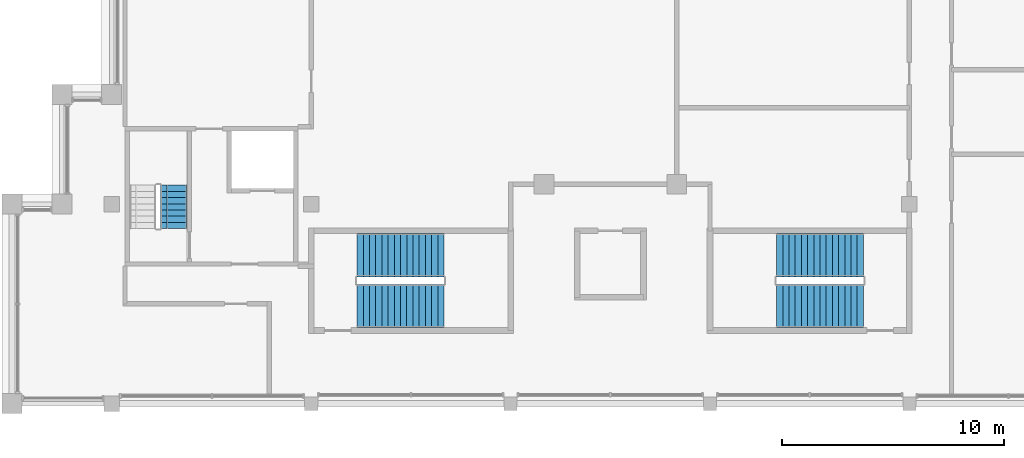
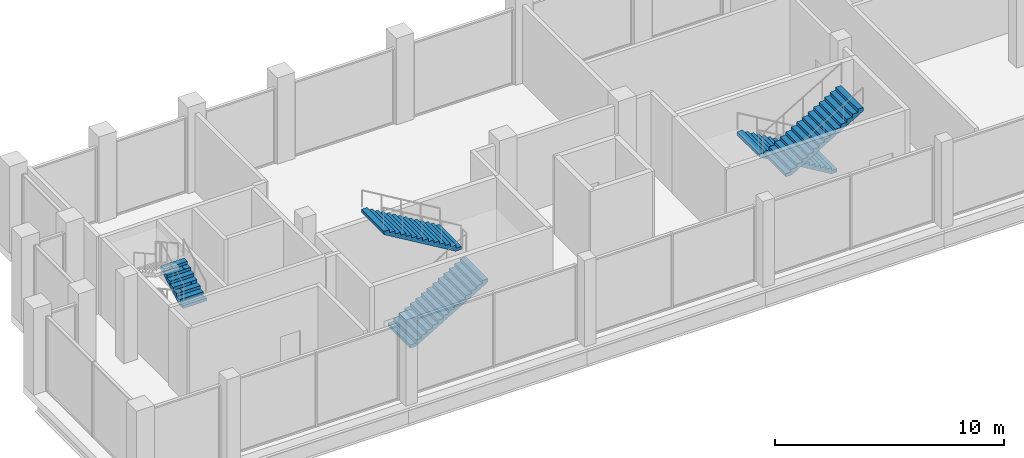
# One storey, part 7 of 8: 5 stair flights, 3 elements without a shape of their own.
"""IFC4 building model written with IfcOpenShell, lengths in metres."""

from ifc_helpers import new_model, si_unit, direction, frame, origin, place, context, subcontext, project, spatial, polyline, outline, extrude, material, type_object, element, aggregate, save


model = new_model("IFC4")

# Units and contexts
model_context = context("Model", 3, precision=1e-05, world=origin(), true_north=direction((0.0, 1.0)))
body_context = subcontext(model_context, "Body", "Model", "MODEL_VIEW")
ifc_project = project(units=[si_unit("LENGTHUNIT", "METRE"), si_unit("AREAUNIT", "SQUARE_METRE"), si_unit("VOLUMEUNIT", "CUBIC_METRE"), si_unit("PLANEANGLEUNIT", "RADIAN"), si_unit("MASSUNIT", "GRAM", prefix="KILO")], contexts=[model_context])

# Site, building, storey
site_placement = place(None, origin())
site = spatial("IfcSite", under=ifc_project, at=site_placement, CompositionType="ELEMENT")
building_placement = place(site_placement, origin())
building = spatial("IfcBuilding", under=site, at=building_placement, Name="Corbelhall Arena Tower", CompositionType="ELEMENT")
storey_placement = place(building_placement, frame((0.0, 0.0, 381.0)))
storey = spatial("IfcBuildingStorey", under=building, at=storey_placement, Name="L82", CompositionType="ELEMENT", Elevation=381.0)

# Stair, stair flights
ifc_material = material(Name="Concrete C40/50", Category="concrete")
stair_type = type_object("IfcStairType", Name="IN-ST-TOWER", PredefinedType="HALF_TURN_STAIR", material=ifc_material)
stair_1_placement = place(storey_placement, origin())
stair_1 = element("IfcStair", 1, at=stair_1_placement, inside=storey, type_object=stair_type, Name="L82 Exit stair ST1", PredefinedType="HALF_TURN_STAIR")
stair_flight_type = type_object("IfcStairFlightType", Name="IN-SFL-RC", PredefinedType="STRAIGHT", material=ifc_material)
stair_flight_1_placement = place(storey_placement, frame((-11.425048828125, 13.39990234375, 0.0), z_axis=(0.0, 0.0, 1.0), x_axis=(1.0, 0.0, 0.0)))
stair_flight_1 = element("IfcStairFlight", 2, at=stair_flight_1_placement, type_object=stair_flight_type, Name="ST1 flight 1", NumberOfRisers=15, NumberOfTreads=14, PredefinedType="STRAIGHT", RiserHeight=0.166666667, TreadLength=0.28, context=body_context, shape_type="SweptSolid", body=[
    extrude(outline(polyline([(0.0, 0.0), (0.0, 0.166748046875), (0.280029296875, 0.166748046875), (0.280029296875, 0.333251953125), (0.56005859375, 0.333251953125), (0.56005859375, 0.5), (0.840087890625, 0.5), (0.840087890625, 0.666748046875), (1.1201171875, 0.666748046875), (1.1201171875, 0.833251953125), (1.39990234375, 0.833251953125), (1.39990234375, 1.0), (1.679931640625, 1.0), (1.679931640625, 1.166748046875), (1.9599609375, 1.166748046875), (1.9599609375, 1.333251953125), (2.239990234375, 1.333251953125), (2.239990234375, 1.5), (2.52001953125, 1.5), (2.52001953125, 1.666748046875), (2.800048828125, 1.666748046875), (2.800048828125, 1.833251953125), (3.080078125, 1.833251953125), (3.080078125, 2.0), (3.360107421875, 2.0), (3.360107421875, 2.166748046875), (3.639892578125, 2.166748046875), (3.639892578125, 2.333251953125), (3.919921875, 2.333251953125), (3.919921875, 2.5), (3.919921875, 2.158935546875), (0.29296875, 0.0), (0.0, 0.0)])), frame((0.0, 0.97509765625, 0.0), z_axis=(0.0, -1.0, 0.0), x_axis=(1.0, 0.0, 0.0)), (0.0, 0.0, 1.0), 1.949951171875),
])
stair_flight_2_placement = place(storey_placement, frame((-7.5048828125, 15.699951171875, 2.5), z_axis=(0.0, 0.0, 1.0), x_axis=(-1.0, 0.0, 0.0)))
stair_flight_2 = element("IfcStairFlight", 3, at=stair_flight_2_placement, type_object=stair_flight_type, Name="ST1 flight 2", NumberOfRisers=15, NumberOfTreads=14, PredefinedType="STRAIGHT", RiserHeight=0.166666667, TreadLength=0.28, context=body_context, shape_type="SweptSolid", body=[
    extrude(outline(polyline([(0.0, 0.0), (0.0, 0.166748046875), (0.280029296875, 0.166748046875), (0.280029296875, 0.333251953125), (0.56005859375, 0.333251953125), (0.56005859375, 0.5), (0.840087890625, 0.5), (0.840087890625, 0.666748046875), (1.1201171875, 0.666748046875), (1.1201171875, 0.833251953125), (1.39990234375, 0.833251953125), (1.39990234375, 1.0), (1.679931640625, 1.0), (1.679931640625, 1.166748046875), (1.9599609375, 1.166748046875), (1.9599609375, 1.333251953125), (2.239990234375, 1.333251953125), (2.239990234375, 1.5), (2.52001953125, 1.5), (2.52001953125, 1.666748046875), (2.800048828125, 1.666748046875), (2.800048828125, 1.833251953125), (3.080078125, 1.833251953125), (3.080078125, 2.0), (3.360107421875, 2.0), (3.360107421875, 2.166748046875), (3.639892578125, 2.166748046875), (3.639892578125, 2.333251953125), (3.919921875, 2.333251953125), (3.919921875, 2.5), (3.919921875, 2.158935546875), (0.29296875, 0.0), (0.0, 0.0)])), frame((0.0, 0.97509765625, 0.0), z_axis=(0.0, -1.0, 0.0), x_axis=(1.0, 0.0, 0.0)), (0.0, 0.0, 1.0), 1.949951171875),
])
aggregate(stair_1, [stair_flight_1, stair_flight_2])

stair_2_placement = place(storey_placement, origin())
stair_2 = element("IfcStair", 4, at=stair_2_placement, inside=storey, type_object=stair_type, Name="L82 Exit stair ST3", PredefinedType="HALF_TURN_STAIR")
stair_flight_3_placement = place(storey_placement, frame((11.425048828125, 15.699951171875, 0.0), z_axis=(0.0, 0.0, 1.0), x_axis=(-1.0, 0.0, 0.0)))
stair_flight_3 = element("IfcStairFlight", 5, at=stair_flight_3_placement, type_object=stair_flight_type, Name="ST3 flight 1", NumberOfRisers=15, NumberOfTreads=14, PredefinedType="STRAIGHT", RiserHeight=0.166666667, TreadLength=0.28, context=body_context, shape_type="SweptSolid", body=[
    extrude(outline(polyline([(0.0, 0.0), (0.0, 0.166748046875), (0.280029296875, 0.166748046875), (0.280029296875, 0.333251953125), (0.56005859375, 0.333251953125), (0.56005859375, 0.5), (0.840087890625, 0.5), (0.840087890625, 0.666748046875), (1.1201171875, 0.666748046875), (1.1201171875, 0.833251953125), (1.39990234375, 0.833251953125), (1.39990234375, 1.0), (1.679931640625, 1.0), (1.679931640625, 1.166748046875), (1.9599609375, 1.166748046875), (1.9599609375, 1.333251953125), (2.239990234375, 1.333251953125), (2.239990234375, 1.5), (2.52001953125, 1.5), (2.52001953125, 1.666748046875), (2.800048828125, 1.666748046875), (2.800048828125, 1.833251953125), (3.080078125, 1.833251953125), (3.080078125, 2.0), (3.360107421875, 2.0), (3.360107421875, 2.166748046875), (3.639892578125, 2.166748046875), (3.639892578125, 2.333251953125), (3.919921875, 2.333251953125), (3.919921875, 2.5), (3.919921875, 2.158935546875), (0.29296875, 0.0), (0.0, 0.0)])), frame((0.0, 0.97509765625, 0.0), z_axis=(0.0, -1.0, 0.0), x_axis=(1.0, 0.0, 0.0)), (0.0, 0.0, 1.0), 1.949951171875),
])
stair_flight_4_placement = place(storey_placement, frame((7.5048828125, 13.39990234375, 2.5), z_axis=(0.0, 0.0, 1.0), x_axis=(1.0, 0.0, 0.0)))
stair_flight_4 = element("IfcStairFlight", 6, at=stair_flight_4_placement, type_object=stair_flight_type, Name="ST3 flight 2", NumberOfRisers=15, NumberOfTreads=14, PredefinedType="STRAIGHT", RiserHeight=0.166666667, TreadLength=0.28, context=body_context, shape_type="SweptSolid", body=[
    extrude(outline(polyline([(0.0, 0.0), (0.0, 0.166748046875), (0.280029296875, 0.166748046875), (0.280029296875, 0.333251953125), (0.56005859375, 0.333251953125), (0.56005859375, 0.5), (0.840087890625, 0.5), (0.840087890625, 0.666748046875), (1.1201171875, 0.666748046875), (1.1201171875, 0.833251953125), (1.39990234375, 0.833251953125), (1.39990234375, 1.0), (1.679931640625, 1.0), (1.679931640625, 1.166748046875), (1.9599609375, 1.166748046875), (1.9599609375, 1.333251953125), (2.239990234375, 1.333251953125), (2.239990234375, 1.5), (2.52001953125, 1.5), (2.52001953125, 1.666748046875), (2.800048828125, 1.666748046875), (2.800048828125, 1.833251953125), (3.080078125, 1.833251953125), (3.080078125, 2.0), (3.360107421875, 2.0), (3.360107421875, 2.166748046875), (3.639892578125, 2.166748046875), (3.639892578125, 2.333251953125), (3.919921875, 2.333251953125), (3.919921875, 2.5), (3.919921875, 2.158935546875), (0.29296875, 0.0), (0.0, 0.0)])), frame((0.0, 0.97509765625, 0.0), z_axis=(0.0, -1.0, 0.0), x_axis=(1.0, 0.0, 0.0)), (0.0, 0.0, 1.0), 1.949951171875),
])
aggregate(stair_2, [stair_flight_3, stair_flight_4])

# Stair, stair flight
stair_3_placement = place(storey_placement, origin())
stair_3 = element("IfcStair", 7, at=stair_3_placement, inside=storey, type_object=stair_type, Name="L82 Exit stair ST5", PredefinedType="HALF_TURN_STAIR")
stair_flight_5_placement = place(storey_placement, frame((-19.695068359375, 16.89990234375, 2.5), z_axis=(0.0, 0.0, 1.0), x_axis=(0.0, 1.0, 0.0)))
stair_flight_5 = element("IfcStairFlight", 8, at=stair_flight_5_placement, type_object=stair_flight_type, Name="ST5 flight 3", NumberOfRisers=8, NumberOfTreads=7, PredefinedType="STRAIGHT", RiserHeight=0.15625, TreadLength=0.28, context=body_context, shape_type="SweptSolid", body=[
    extrude(outline(polyline([(0.0, 0.0), (0.0, 0.15625), (0.280029296875, 0.15625), (0.280029296875, 0.3125), (0.56005859375, 0.3125), (0.56005859375, 0.46875), (0.840087890625, 0.46875), (0.840087890625, 0.625), (1.1201171875, 0.625), (1.1201171875, 0.78125), (1.39990234375, 0.78125), (1.39990234375, 0.9375), (1.679931640625, 0.9375), (1.679931640625, 1.09375), (1.9599609375, 1.09375), (1.9599609375, 1.25), (1.9599609375, 0.922119140625), (0.3076171875, 0.0), (0.0, 0.0)])), frame((0.0, 0.60009765625, 0.0), z_axis=(0.0, -1.0, 0.0), x_axis=(1.0, 0.0, 0.0)), (0.0, 0.0, 1.0), 0.300048828125),
    extrude(outline(polyline([(0.0, 0.0), (0.0, 0.15625), (0.280029296875, 0.15625), (0.280029296875, 0.3125), (0.56005859375, 0.3125), (0.56005859375, 0.46875), (0.840087890625, 0.46875), (0.840087890625, 0.625), (1.1201171875, 0.625), (1.1201171875, 0.78125), (1.39990234375, 0.78125), (1.39990234375, 0.9375), (1.679931640625, 0.9375), (1.679931640625, 1.09375), (1.9599609375, 1.09375), (1.9599609375, 1.25), (1.9599609375, 0.922119140625), (0.3076171875, 0.0), (0.0, 0.0)])), frame((0.0, 0.2958984375, 0.0), z_axis=(0.0, -1.0, 0.0), x_axis=(1.0, 0.0, 0.0)), (0.0, 0.0, 1.0), 0.592041015625),
    extrude(outline(polyline([(0.0, 0.0), (0.0, 0.15625), (0.280029296875, 0.15625), (0.280029296875, 0.3125), (0.56005859375, 0.3125), (0.56005859375, 0.46875), (0.840087890625, 0.46875), (0.840087890625, 0.625), (1.1201171875, 0.625), (1.1201171875, 0.78125), (1.39990234375, 0.78125), (1.39990234375, 0.9375), (1.679931640625, 0.9375), (1.679931640625, 1.09375), (1.9599609375, 1.09375), (1.9599609375, 1.25), (1.9599609375, 0.922119140625), (0.3076171875, 0.0), (0.0, 0.0)])), frame((0.0, -0.300048828125, 0.0), z_axis=(0.0, -1.0, 0.0), x_axis=(1.0, 0.0, 0.0)), (0.0, 0.0, 1.0), 0.300048828125),
])
aggregate(stair_3, [stair_flight_5])

save(model, "model.ifc")
